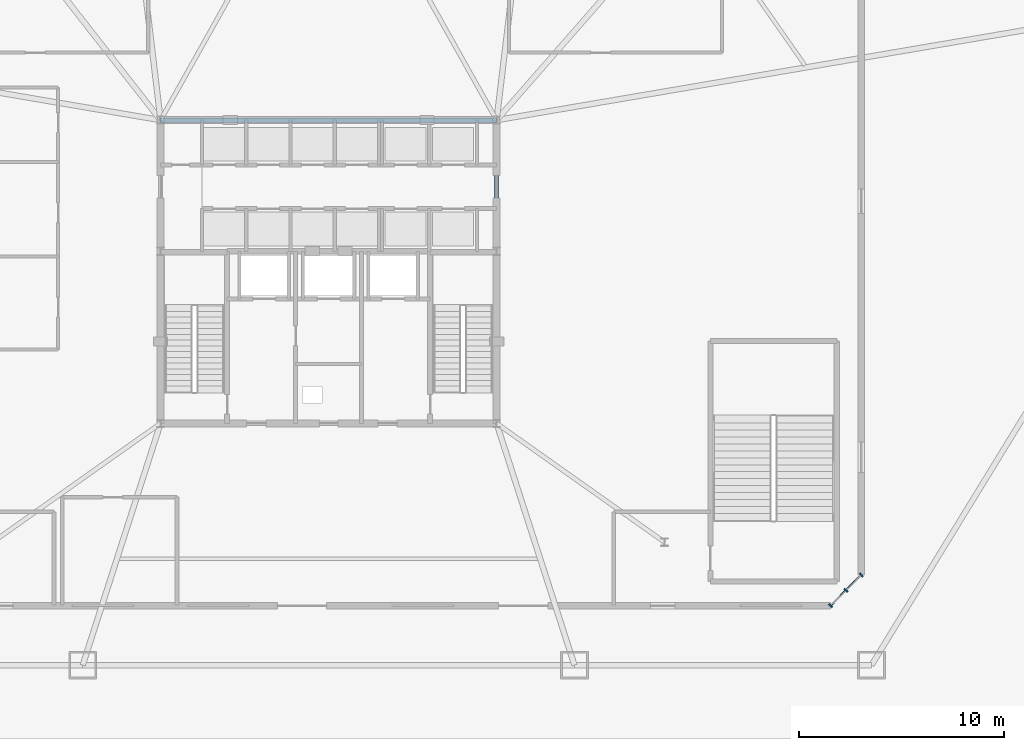
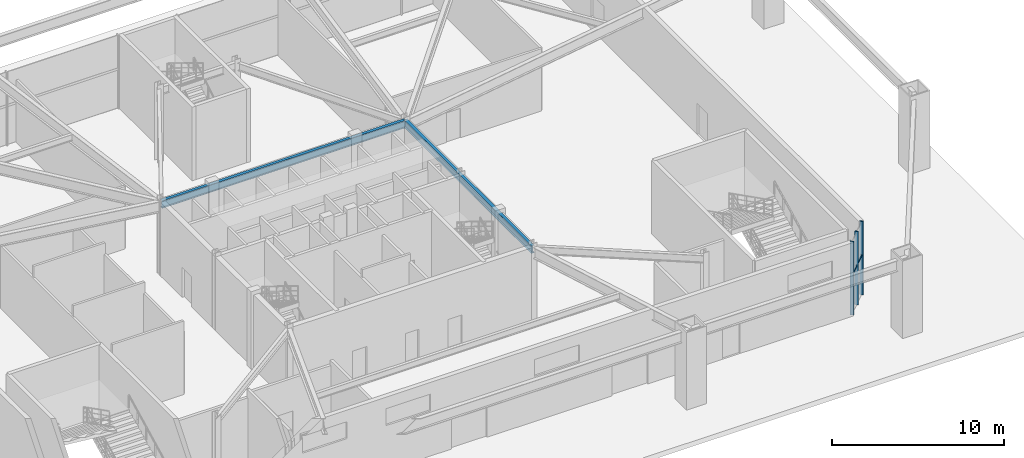
# One storey, part 7 of 20: 4 members, 2 beams, 1 element without a shape of its own.
"""IFC4 building model written with IfcOpenShell, lengths in metres."""

from ifc_helpers import new_model, si_unit, direction, frame, origin, origin_2d, place, context, subcontext, project, spatial, rectangle, i_section, extrude, source, transform, mapped, material, layer, layer_set, material_profile, profile_set, type_object, type_shapes, element, aggregate, save


model = new_model("IFC4")

# Units and contexts
model_context = context("Model", 3, precision=1e-05, world=origin(), true_north=direction((0.0, 1.0)))
body_context = subcontext(model_context, "Body", "Model", "MODEL_VIEW")
ifc_project = project(units=[si_unit("LENGTHUNIT", "METRE"), si_unit("AREAUNIT", "SQUARE_METRE"), si_unit("VOLUMEUNIT", "CUBIC_METRE"), si_unit("PLANEANGLEUNIT", "RADIAN"), si_unit("MASSUNIT", "GRAM", prefix="KILO")], contexts=[model_context])

# Site, building, storey
site_placement = place(None, origin())
site = spatial("IfcSite", under=ifc_project, at=site_placement, CompositionType="ELEMENT")
building_placement = place(site_placement, origin())
building = spatial("IfcBuilding", under=site, at=building_placement, Name="Varakhsha Concourse Tower", CompositionType="ELEMENT")
storey_placement = place(building_placement, origin())
storey = spatial("IfcBuildingStorey", under=building, at=storey_placement, Name="L01", CompositionType="ELEMENT", Elevation=0.0)

# Beams
ifc_material_1 = material(Name="Structural Steel ASTM A992 Grade 50", Category="steel")
ifc_material_profile_1 = material_profile(ifc_material_1, i_section(OverallWidth=0.2109375, OverallDepth=0.5390625, WebThickness=0.011962890625, FlangeThickness=0.01904296875, at=origin_2d()), Name="W21X73")
ifc_profile_set_1 = profile_set([ifc_material_profile_1], Name="Structural Steel ASTM A992 Grade 50")
beam_type = type_object("IfcBeamType", Name="BM-RAD-W21X73", PredefinedType="BEAM", material=ifc_profile_set_1)
beam_1_placement = place(storey_placement, frame((31.800048828125, 31.199951171875, 4.950439453125), z_axis=(1.0, 0.0, 0.0), x_axis=(0.0, 1.0, 0.0)))
element("IfcBeam", 1, at=beam_1_placement, inside=storey, type_object=beam_type, Name="BM-CORE-L01-CN", PredefinedType="BEAM", context=body_context, shape_type="SweptSolid", body=[
    extrude(i_section(OverallWidth=0.2109375, OverallDepth=0.5390625, WebThickness=0.011962890625, FlangeThickness=0.01904296875, at=origin_2d()), origin(), (0.0, 0.0, 1.0), 16.39990234375),
])
beam_2_placement = place(storey_placement, frame((48.199951171875, 16.39990234375, 4.950439453125), z_axis=(0.0, 1.0, 0.0), x_axis=(-1.0, 0.0, 0.0)))
element("IfcBeam", 2, at=beam_2_placement, inside=storey, type_object=beam_type, Name="BM-CORE-L01-CE", PredefinedType="BEAM", context=body_context, shape_type="SweptSolid", body=[
    extrude(i_section(OverallWidth=0.2109375, OverallDepth=0.5390625, WebThickness=0.011962890625, FlangeThickness=0.01904296875, at=origin_2d()), origin(), (0.0, 0.0, 1.0), 14.800048828125),
])

# Curtain wall, members
ifc_material_2 = material(Name="Anodised Bronze Architectural Aluminium AA 6063-T6", Category="aluminium")
ifc_layer = layer(ifc_material_2, 0.239990234375, Name="CW-SYS-01")
ifc_layer_set = layer_set([ifc_layer], Name="Anodised Bronze Architectural Aluminium AA 6063-T6")
curtain_wall_type = type_object("IfcCurtainWallType", Name="CW-SYS-01", PredefinedType="NOTDEFINED", material=ifc_layer_set)
curtain_wall_placement = place(storey_placement, origin())
curtain_wall = element("IfcCurtainWall", 3, at=curtain_wall_placement, inside=storey, type_object=curtain_wall_type, Name="L01 Concourse Curtain Wall 02", PredefinedType="NOTDEFINED")
ifc_material_profile_2 = material_profile(ifc_material_2, rectangle(XDim=0.074951171875, YDim=0.219970703125, at=origin_2d()), Name="CWM-220X75")
ifc_profile_set_2 = profile_set([ifc_material_profile_2], Name="Anodised Bronze Architectural Aluminium AA 6063-T6")
member_type_1 = type_object("IfcMemberType", Name="CWM-220X75", PredefinedType="MULLION", material=ifc_profile_set_2)
shared_shape_1 = source(origin(), body_context, "Body", "SweptSolid", [
    extrude(rectangle(XDim=0.074951171875, YDim=0.219970703125, at=origin_2d()), origin(), (0.0, 0.0, 1.0), 5.219970703125),
])
type_shapes(member_type_1, [shared_shape_1])
member_1_placement = place(storey_placement, frame((64.5, 7.5, 0.0), z_axis=(0.0, 0.0, 1.0), x_axis=(0.707106781187, 0.707106781187, 0.0)))
member_1 = element("IfcMember", 4, at=member_1_placement, type_object=member_type_1, Name="CW-L01-02 Mullion 00", PredefinedType="MULLION", context=body_context, shape_type="MappedRepresentation", body=[
    mapped(shared_shape_1, transform((0.0, 0.0, 0.0), scale=1.0)),
])
member_2_placement = place(storey_placement, frame((65.25, 8.25, 0.0), z_axis=(0.0, 0.0, 1.0), x_axis=(0.707106781187, 0.707106781187, 0.0)))
member_2 = element("IfcMember", 5, at=member_2_placement, type_object=member_type_1, Name="CW-L01-02 Mullion 01", PredefinedType="MULLION", context=body_context, shape_type="MappedRepresentation", body=[
    mapped(shared_shape_1, transform((0.0, 0.0, 0.0), scale=1.0)),
])
member_3_placement = place(storey_placement, frame((66.0, 9.0, 0.0), z_axis=(0.0, 0.0, 1.0), x_axis=(0.707106781187, 0.707106781187, 0.0)))
member_3 = element("IfcMember", 6, at=member_3_placement, type_object=member_type_1, Name="CW-L01-02 Mullion 02", PredefinedType="MULLION", context=body_context, shape_type="MappedRepresentation", body=[
    mapped(shared_shape_1, transform((0.0, 0.0, 0.0), scale=1.0)),
])
ifc_material_profile_3 = material_profile(ifc_material_2, rectangle(XDim=0.06494140625, YDim=0.159912109375, at=origin_2d()), Name="CWT-160X65")
ifc_profile_set_3 = profile_set([ifc_material_profile_3], Name="Anodised Bronze Architectural Aluminium AA 6063-T6")
member_type_2 = type_object("IfcMemberType", Name="CWT-160X65", PredefinedType="USERDEFINED", material=ifc_profile_set_3)
shared_shape_2 = source(origin(), body_context, "Body", "SweptSolid", [
    extrude(rectangle(XDim=0.06494140625, YDim=0.159912109375, at=origin_2d()), origin(), (0.0, 0.0, 1.0), 2.121337890625),
])
type_shapes(member_type_2, [shared_shape_2])
member_4_placement = place(storey_placement, frame((64.5, 7.5, 2.800048828125), z_axis=(0.707106781187, 0.707106781187, 0.0), x_axis=(-0.707106781187, 0.707106781187, 0.0)))
member_4 = element("IfcMember", 7, at=member_4_placement, type_object=member_type_2, Name="CW-L01-02 Transom 01", ObjectType="TRANSOM", PredefinedType="USERDEFINED", context=body_context, shape_type="MappedRepresentation", body=[
    mapped(shared_shape_2, transform((0.0, 0.0, 0.0), scale=1.0)),
])
aggregate(curtain_wall, [member_1, member_2, member_3, member_4])

save(model, "model.ifc")
